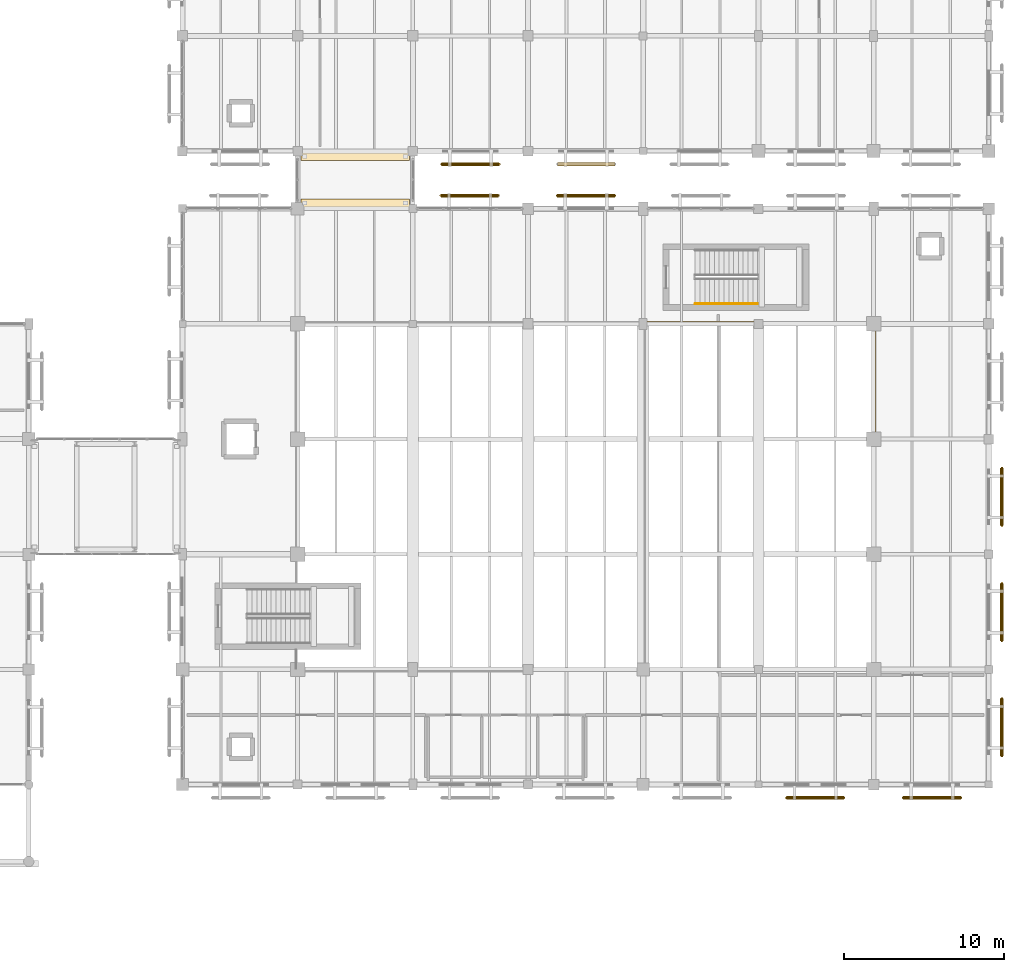
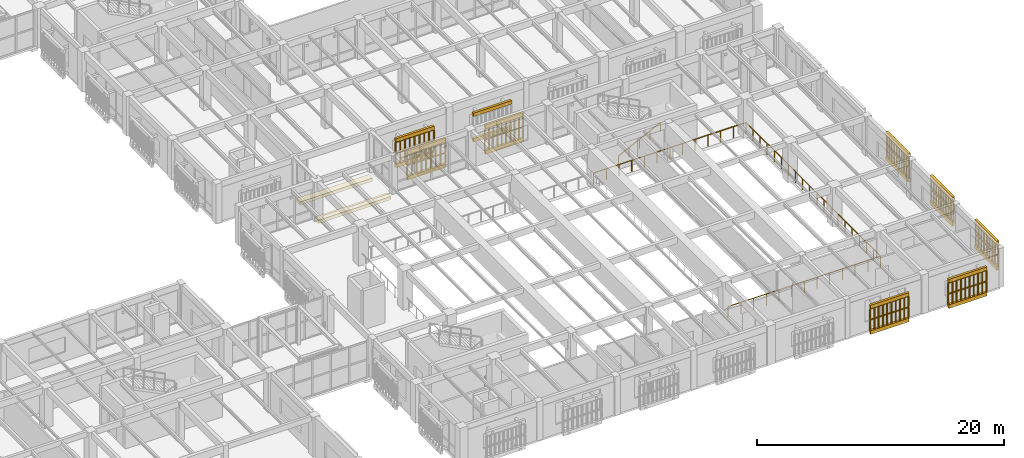
# One storey, part 164 of 170: 20 coverings, 18 railings.
"""IFC4 building model written with IfcOpenShell, lengths in metres."""

from ifc_helpers import new_model, si_unit, direction, frame, origin, origin_2d, place, context, subcontext, project, spatial, polyline, circle, outline, extrude, material, layer, layer_set, type_object, element, save


model = new_model("IFC4")

# Units and contexts
model_context = context("Model", 3, precision=1e-05, world=origin(), true_north=direction((0.0, 1.0)))
body_context = subcontext(model_context, "Body", "Model", "MODEL_VIEW")
ifc_project = project(units=[si_unit("LENGTHUNIT", "METRE"), si_unit("AREAUNIT", "SQUARE_METRE"), si_unit("VOLUMEUNIT", "CUBIC_METRE"), si_unit("PLANEANGLEUNIT", "RADIAN"), si_unit("MASSUNIT", "GRAM", prefix="KILO")], contexts=[model_context])

# Site, building, storey
site_placement = place(None, origin())
site = spatial("IfcSite", under=ifc_project, at=site_placement, CompositionType="ELEMENT")
building_placement = place(site_placement, origin())
building = spatial("IfcBuilding", under=site, at=building_placement, Name="Mazaris Harbour Polytechnic", CompositionType="ELEMENT")
storey_placement = place(building_placement, frame((0.0, 0.0, 5.39990234375)))
storey = spatial("IfcBuildingStorey", under=building, at=storey_placement, Name="L01", CompositionType="ELEMENT", Elevation=5.39990234375)

# Coverings
ifc_material_1 = material(Name="Concrete C40/50", Category="concrete")
ifc_layer_1 = layer(ifc_material_1, 0.320068359375, Name="Concrete C40/50")
ifc_layer_set_1 = layer_set([ifc_layer_1], Name="Concrete C40/50")
covering_type_1 = type_object("IfcCoveringType", Name="Bridge Bearing Corbel 600 Exterior", PredefinedType="CLADDING", material=ifc_layer_set_1)
covering_1_placement = place(storey_placement, frame((0.0, 0.0, -0.64990234375)))
element("IfcCovering", 1, at=covering_1_placement, inside=storey, type_object=covering_type_1, Name="PB-NE L01 600mm Bridge Bearing Seat Corbel S", PredefinedType="CLADDING", context=body_context, shape_type="SweptSolid", body=[
    extrude(outline(polyline([(129.800048828125, 43.199951171875), (136.60009765625, 43.199951171875), (136.60009765625, 43.800048828125), (129.800048828125, 43.800048828125), (129.800048828125, 43.199951171875)])), origin(), (0.0, 0.0, 1.0), 0.320068359375),
])
covering_2_placement = place(storey_placement, frame((0.0, 0.0, -0.64990234375)))
element("IfcCovering", 2, at=covering_2_placement, inside=storey, type_object=covering_type_1, Name="PB-NE L01 600mm Bridge Bearing Seat Corbel N", PredefinedType="CLADDING", context=body_context, shape_type="SweptSolid", body=[
    extrude(outline(polyline([(129.800048828125, 46.199951171875), (136.60009765625, 46.199951171875), (136.60009765625, 46.800048828125), (129.800048828125, 46.800048828125), (129.800048828125, 46.199951171875)])), origin(), (0.0, 0.0, 1.0), 0.320068359375),
])

# Railings
ifc_material_2 = material(Name="Steel S355", Category="steel")
railing_type_1 = type_object("IfcRailingType", Name="Mezzanine Steel Guardrail 1100", PredefinedType="GUARDRAIL", material=ifc_material_2)
railing_1_placement = place(storey_placement, frame((151.449951171875, 14.300048828125, 0.0)))
element("IfcRailing", 3, at=railing_1_placement, inside=storey, type_object=railing_type_1, Name="Railing GRD-V2-THB", PredefinedType="GUARDRAIL", context=body_context, shape_type="SweptSolid", body=[
    extrude(circle(Radius=0.02392578125, at=origin_2d()), frame((0.0, 0.0, 1.09619140625), z_axis=(1.0, 0.0, 0.0), x_axis=(0.0, 1.0, 0.0)), (0.0, 0.0, 1.0), 14.25),
    extrude(circle(Radius=0.02392578125, at=origin_2d()), frame((14.25, 0.0, 1.09619140625), z_axis=(0.0, 1.0, 0.0), x_axis=(-1.0, 0.0, 0.0)), (0.0, 0.0, 1.0), 21.800048828125),
    extrude(circle(Radius=0.02392578125, at=origin_2d()), frame((14.25, 21.800048828125, 1.09619140625), z_axis=(-1.0, 0.0, 0.0), x_axis=(0.0, -1.0, 0.0)), (0.0, 0.0, 1.0), 14.25),
    extrude(circle(Radius=0.02099609375, at=origin_2d()), origin(), (0.0, 0.0, 1.0), 1.072021484375),
    extrude(circle(Radius=0.02099609375, at=origin_2d()), frame((1.1875, 0.0, 0.0)), (0.0, 0.0, 1.0), 1.072021484375),
    extrude(circle(Radius=0.02099609375, at=origin_2d()), frame((2.375, 0.0, 0.0)), (0.0, 0.0, 1.0), 1.072021484375),
    extrude(circle(Radius=0.02099609375, at=origin_2d()), frame((3.5625, 0.0, 0.0)), (0.0, 0.0, 1.0), 1.072021484375),
    extrude(circle(Radius=0.02099609375, at=origin_2d()), frame((4.75, 0.0, 0.0)), (0.0, 0.0, 1.0), 1.072021484375),
    extrude(circle(Radius=0.02099609375, at=origin_2d()), frame((5.9375, 0.0, 0.0)), (0.0, 0.0, 1.0), 1.072021484375),
    extrude(circle(Radius=0.02099609375, at=origin_2d()), frame((7.125, 0.0, 0.0)), (0.0, 0.0, 1.0), 1.072021484375),
    extrude(circle(Radius=0.02099609375, at=origin_2d()), frame((8.3125, 0.0, 0.0)), (0.0, 0.0, 1.0), 1.072021484375),
    extrude(circle(Radius=0.02099609375, at=origin_2d()), frame((9.5, 0.0, 0.0)), (0.0, 0.0, 1.0), 1.072021484375),
    extrude(circle(Radius=0.02099609375, at=origin_2d()), frame((10.6875, 0.0, 0.0)), (0.0, 0.0, 1.0), 1.072021484375),
    extrude(circle(Radius=0.02099609375, at=origin_2d()), frame((11.875, 0.0, 0.0)), (0.0, 0.0, 1.0), 1.072021484375),
    extrude(circle(Radius=0.02099609375, at=origin_2d()), frame((13.0625, 0.0, 0.0)), (0.0, 0.0, 1.0), 1.072021484375),
    extrude(circle(Radius=0.02099609375, at=origin_2d()), frame((14.25, 0.0, 0.0)), (0.0, 0.0, 1.0), 1.072021484375),
    extrude(circle(Radius=0.02099609375, at=origin_2d()), frame((14.25, 1.1474609375, 0.0)), (0.0, 0.0, 1.0), 1.072021484375),
    extrude(circle(Radius=0.02099609375, at=origin_2d()), frame((14.25, 2.294677734375, 0.0)), (0.0, 0.0, 1.0), 1.072021484375),
    extrude(circle(Radius=0.02099609375, at=origin_2d()), frame((14.25, 3.442138671875, 0.0)), (0.0, 0.0, 1.0), 1.072021484375),
    extrude(circle(Radius=0.02099609375, at=origin_2d()), frame((14.25, 4.589599609375, 0.0)), (0.0, 0.0, 1.0), 1.072021484375),
    extrude(circle(Radius=0.02099609375, at=origin_2d()), frame((14.25, 5.73681640625, 0.0)), (0.0, 0.0, 1.0), 1.072021484375),
    extrude(circle(Radius=0.02099609375, at=origin_2d()), frame((14.25, 6.88427734375, 0.0)), (0.0, 0.0, 1.0), 1.072021484375),
    extrude(circle(Radius=0.02099609375, at=origin_2d()), frame((14.25, 8.031494140625, 0.0)), (0.0, 0.0, 1.0), 1.072021484375),
    extrude(circle(Radius=0.02099609375, at=origin_2d()), frame((14.25, 9.178955078125, 0.0)), (0.0, 0.0, 1.0), 1.072021484375),
    extrude(circle(Radius=0.02099609375, at=origin_2d()), frame((14.25, 10.326416015625, 0.0)), (0.0, 0.0, 1.0), 1.072021484375),
    extrude(circle(Radius=0.02099609375, at=origin_2d()), frame((14.25, 11.4736328125, 0.0)), (0.0, 0.0, 1.0), 1.072021484375),
    extrude(circle(Radius=0.02099609375, at=origin_2d()), frame((14.25, 12.62109375, 0.0)), (0.0, 0.0, 1.0), 1.072021484375),
    extrude(circle(Radius=0.02099609375, at=origin_2d()), frame((14.25, 13.7685546875, 0.0)), (0.0, 0.0, 1.0), 1.072021484375),
    extrude(circle(Radius=0.02099609375, at=origin_2d()), frame((14.25, 14.915771484375, 0.0)), (0.0, 0.0, 1.0), 1.072021484375),
    extrude(circle(Radius=0.02099609375, at=origin_2d()), frame((14.25, 16.063232421875, 0.0)), (0.0, 0.0, 1.0), 1.072021484375),
    extrude(circle(Radius=0.02099609375, at=origin_2d()), frame((14.25, 17.21044921875, 0.0)), (0.0, 0.0, 1.0), 1.072021484375),
    extrude(circle(Radius=0.02099609375, at=origin_2d()), frame((14.25, 18.35791015625, 0.0)), (0.0, 0.0, 1.0), 1.072021484375),
    extrude(circle(Radius=0.02099609375, at=origin_2d()), frame((14.25, 19.50537109375, 0.0)), (0.0, 0.0, 1.0), 1.072021484375),
    extrude(circle(Radius=0.02099609375, at=origin_2d()), frame((14.25, 20.652587890625, 0.0)), (0.0, 0.0, 1.0), 1.072021484375),
    extrude(circle(Radius=0.02099609375, at=origin_2d()), frame((14.25, 21.800048828125, 0.0)), (0.0, 0.0, 1.0), 1.072021484375),
    extrude(circle(Radius=0.02099609375, at=origin_2d()), frame((13.0625, 21.800048828125, 0.0)), (0.0, 0.0, 1.0), 1.072021484375),
    extrude(circle(Radius=0.02099609375, at=origin_2d()), frame((11.875, 21.800048828125, 0.0)), (0.0, 0.0, 1.0), 1.072021484375),
    extrude(circle(Radius=0.02099609375, at=origin_2d()), frame((10.6875, 21.800048828125, 0.0)), (0.0, 0.0, 1.0), 1.072021484375),
    extrude(circle(Radius=0.02099609375, at=origin_2d()), frame((9.5, 21.800048828125, 0.0)), (0.0, 0.0, 1.0), 1.072021484375),
    extrude(circle(Radius=0.02099609375, at=origin_2d()), frame((8.3125, 21.800048828125, 0.0)), (0.0, 0.0, 1.0), 1.072021484375),
    extrude(circle(Radius=0.02099609375, at=origin_2d()), frame((7.125, 21.800048828125, 0.0)), (0.0, 0.0, 1.0), 1.072021484375),
    extrude(circle(Radius=0.02099609375, at=origin_2d()), frame((5.9375, 21.800048828125, 0.0)), (0.0, 0.0, 1.0), 1.072021484375),
    extrude(circle(Radius=0.02099609375, at=origin_2d()), frame((4.75, 21.800048828125, 0.0)), (0.0, 0.0, 1.0), 1.072021484375),
    extrude(circle(Radius=0.02099609375, at=origin_2d()), frame((3.5625, 21.800048828125, 0.0)), (0.0, 0.0, 1.0), 1.072021484375),
    extrude(circle(Radius=0.02099609375, at=origin_2d()), frame((2.375, 21.800048828125, 0.0)), (0.0, 0.0, 1.0), 1.072021484375),
    extrude(circle(Radius=0.02099609375, at=origin_2d()), frame((1.1875, 21.800048828125, 0.0)), (0.0, 0.0, 1.0), 1.072021484375),
    extrude(circle(Radius=0.02099609375, at=origin_2d()), frame((0.0, 21.800048828125, 0.0)), (0.0, 0.0, 1.0), 1.072021484375),
])
ifc_material_3 = material(Name="Perforated Earth-Coloured Terracotta Block", Category="masonry")
railing_type_2 = type_object("IfcRailingType", Name="Perforated Earth-Block Claustra Lattice 1040", PredefinedType="BALUSTRADE", material=ifc_material_3)
for number, where, name in (
    (4, (163.75, 6.3798828125, 0.52001953125), "V2 L01 Lower Perforated Terracotta Block Screen 50"),
    (5, (163.75, 6.3798828125, 1.610107421875), "V2 L01 Upper Perforated Terracotta Block Screen 50"),
    (6, (171.050048828125, 6.3798828125, 0.52001953125), "V2 L01 Lower Perforated Terracotta Block Screen 51"),
    (7, (171.050048828125, 6.3798828125, 1.610107421875), "V2 L01 Upper Perforated Terracotta Block Screen 51"),
):
    element("IfcRailing", number, at=place(storey_placement, frame(where)), inside=storey, type_object=railing_type_2, Name=name, PredefinedType="BALUSTRADE", context=body_context, shape_type="SweptSolid", body=[
        extrude(circle(Radius=0.06982421875, at=origin_2d()), frame((0.0, 0.0, 1.02001953125), z_axis=(-1.0, 0.0, 0.0), x_axis=(0.0, -1.0, 0.0)), (0.0, 0.0, 1.0), 3.60009765625),
        extrude(circle(Radius=0.074951171875, at=origin_2d()), origin(), (0.0, 0.0, 1.0), 0.9501953125),
        extrude(circle(Radius=0.074951171875, at=origin_2d()), frame((-0.39990234375, 0.0, 0.0)), (0.0, 0.0, 1.0), 0.9501953125),
        extrude(circle(Radius=0.074951171875, at=origin_2d()), frame((-0.800048828125, 0.0, 0.0)), (0.0, 0.0, 1.0), 0.9501953125),
        extrude(circle(Radius=0.074951171875, at=origin_2d()), frame((-1.199951171875, 0.0, 0.0)), (0.0, 0.0, 1.0), 0.9501953125),
        extrude(circle(Radius=0.074951171875, at=origin_2d()), frame((-1.60009765625, 0.0, 0.0)), (0.0, 0.0, 1.0), 0.9501953125),
        extrude(circle(Radius=0.074951171875, at=origin_2d()), frame((-2.0, 0.0, 0.0)), (0.0, 0.0, 1.0), 0.9501953125),
        extrude(circle(Radius=0.074951171875, at=origin_2d()), frame((-2.400146484375, 0.0, 0.0)), (0.0, 0.0, 1.0), 0.9501953125),
        extrude(circle(Radius=0.074951171875, at=origin_2d()), frame((-2.800048828125, 0.0, 0.0)), (0.0, 0.0, 1.0), 0.9501953125),
        extrude(circle(Radius=0.074951171875, at=origin_2d()), frame((-3.2001953125, 0.0, 0.0)), (0.0, 0.0, 1.0), 0.9501953125),
        extrude(circle(Radius=0.074951171875, at=origin_2d()), frame((-3.60009765625, 0.0, 0.0)), (0.0, 0.0, 1.0), 0.9501953125),
    ])
for number, where, name in (
    (8, (138.550048828125, 44.02001953125, 0.52001953125), "V2 L01 Lower Perforated Terracotta Block Screen 53"),
    (9, (138.550048828125, 44.02001953125, 1.610107421875), "V2 L01 Upper Perforated Terracotta Block Screen 53"),
):
    element("IfcRailing", number, at=place(storey_placement, frame(where)), inside=storey, type_object=railing_type_2, Name=name, PredefinedType="BALUSTRADE", context=body_context, shape_type="SweptSolid", body=[
        extrude(circle(Radius=0.06982421875, at=origin_2d()), frame((0.0, 0.0, 1.02001953125), z_axis=(1.0, 0.0, 0.0), x_axis=(0.0, 1.0, 0.0)), (0.0, 0.0, 1.0), 3.599853515625),
        extrude(circle(Radius=0.074951171875, at=origin_2d()), origin(), (0.0, 0.0, 1.0), 0.9501953125),
        extrude(circle(Radius=0.074951171875, at=origin_2d()), frame((0.449951171875, 0.0, 0.0)), (0.0, 0.0, 1.0), 0.9501953125),
        extrude(circle(Radius=0.074951171875, at=origin_2d()), frame((0.89990234375, 0.0, 0.0)), (0.0, 0.0, 1.0), 0.9501953125),
        extrude(circle(Radius=0.074951171875, at=origin_2d()), frame((1.349853515625, 0.0, 0.0)), (0.0, 0.0, 1.0), 0.9501953125),
        extrude(circle(Radius=0.074951171875, at=origin_2d()), frame((1.7998046875, 0.0, 0.0)), (0.0, 0.0, 1.0), 0.9501953125),
        extrude(circle(Radius=0.074951171875, at=origin_2d()), frame((2.25, 0.0, 0.0)), (0.0, 0.0, 1.0), 0.9501953125),
        extrude(circle(Radius=0.074951171875, at=origin_2d()), frame((2.699951171875, 0.0, 0.0)), (0.0, 0.0, 1.0), 0.9501953125),
        extrude(circle(Radius=0.074951171875, at=origin_2d()), frame((3.14990234375, 0.0, 0.0)), (0.0, 0.0, 1.0), 0.9501953125),
        extrude(circle(Radius=0.074951171875, at=origin_2d()), frame((3.599853515625, 0.0, 0.0)), (0.0, 0.0, 1.0), 0.9501953125),
    ])
for number, where, name in (
    (10, (145.824951171875, 44.02001953125, 0.52001953125), "V2 L01 Lower Perforated Terracotta Block Screen 54"),
    (11, (145.824951171875, 44.02001953125, 1.610107421875), "V2 L01 Upper Perforated Terracotta Block Screen 54"),
):
    element("IfcRailing", number, at=place(storey_placement, frame(where)), inside=storey, type_object=railing_type_2, Name=name, PredefinedType="BALUSTRADE", context=body_context, shape_type="SweptSolid", body=[
        extrude(circle(Radius=0.06982421875, at=origin_2d()), frame((0.0, 0.0, 1.02001953125), z_axis=(1.0, 0.0, 0.0), x_axis=(0.0, 1.0, 0.0)), (0.0, 0.0, 1.0), 3.60009765625),
        extrude(circle(Radius=0.074951171875, at=origin_2d()), origin(), (0.0, 0.0, 1.0), 0.9501953125),
        extrude(circle(Radius=0.074951171875, at=origin_2d()), frame((0.39990234375, 0.0, 0.0)), (0.0, 0.0, 1.0), 0.9501953125),
        extrude(circle(Radius=0.074951171875, at=origin_2d()), frame((0.800048828125, 0.0, 0.0)), (0.0, 0.0, 1.0), 0.9501953125),
        extrude(circle(Radius=0.074951171875, at=origin_2d()), frame((1.199951171875, 0.0, 0.0)), (0.0, 0.0, 1.0), 0.9501953125),
        extrude(circle(Radius=0.074951171875, at=origin_2d()), frame((1.60009765625, 0.0, 0.0)), (0.0, 0.0, 1.0), 0.9501953125),
        extrude(circle(Radius=0.074951171875, at=origin_2d()), frame((2.0, 0.0, 0.0)), (0.0, 0.0, 1.0), 0.9501953125),
        extrude(circle(Radius=0.074951171875, at=origin_2d()), frame((2.400146484375, 0.0, 0.0)), (0.0, 0.0, 1.0), 0.9501953125),
        extrude(circle(Radius=0.074951171875, at=origin_2d()), frame((2.800048828125, 0.0, 0.0)), (0.0, 0.0, 1.0), 0.9501953125),
        extrude(circle(Radius=0.074951171875, at=origin_2d()), frame((3.2001953125, 0.0, 0.0)), (0.0, 0.0, 1.0), 0.9501953125),
        extrude(circle(Radius=0.074951171875, at=origin_2d()), frame((3.60009765625, 0.0, 0.0)), (0.0, 0.0, 1.0), 0.9501953125),
    ])
for number, where, name in (
    (12, (173.6201171875, 12.58740234375, 0.52001953125), "V2 L01 Lower Perforated Terracotta Block Screen 62"),
    (13, (173.6201171875, 12.58740234375, 1.610107421875), "V2 L01 Upper Perforated Terracotta Block Screen 62"),
):
    element("IfcRailing", number, at=place(storey_placement, frame(where)), inside=storey, type_object=railing_type_2, Name=name, PredefinedType="BALUSTRADE", context=body_context, shape_type="SweptSolid", body=[
        extrude(circle(Radius=0.06982421875, at=origin_2d()), frame((0.0, 0.0, 1.02001953125), z_axis=(0.0, -1.0, 0.0), x_axis=(1.0, 0.0, 0.0)), (0.0, 0.0, 1.0), 3.599853515625),
        extrude(circle(Radius=0.074951171875, at=origin_2d()), origin(), (0.0, 0.0, 1.0), 0.9501953125),
        extrude(circle(Radius=0.074951171875, at=origin_2d()), frame((0.0, -0.449951171875, 0.0)), (0.0, 0.0, 1.0), 0.9501953125),
        extrude(circle(Radius=0.074951171875, at=origin_2d()), frame((0.0, -0.89990234375, 0.0)), (0.0, 0.0, 1.0), 0.9501953125),
        extrude(circle(Radius=0.074951171875, at=origin_2d()), frame((0.0, -1.349853515625, 0.0)), (0.0, 0.0, 1.0), 0.9501953125),
        extrude(circle(Radius=0.074951171875, at=origin_2d()), frame((0.0, -1.7998046875, 0.0)), (0.0, 0.0, 1.0), 0.9501953125),
        extrude(circle(Radius=0.074951171875, at=origin_2d()), frame((0.0, -2.25, 0.0)), (0.0, 0.0, 1.0), 0.9501953125),
        extrude(circle(Radius=0.074951171875, at=origin_2d()), frame((0.0, -2.699951171875, 0.0)), (0.0, 0.0, 1.0), 0.9501953125),
        extrude(circle(Radius=0.074951171875, at=origin_2d()), frame((0.0, -3.14990234375, 0.0)), (0.0, 0.0, 1.0), 0.9501953125),
        extrude(circle(Radius=0.074951171875, at=origin_2d()), frame((0.0, -3.599853515625, 0.0)), (0.0, 0.0, 1.0), 0.9501953125),
    ])
for number, where, name in (
    (14, (173.6201171875, 19.78759765625, 0.52001953125), "V2 L01 Lower Perforated Terracotta Block Screen 63"),
    (15, (173.6201171875, 19.78759765625, 1.610107421875), "V2 L01 Upper Perforated Terracotta Block Screen 63"),
):
    element("IfcRailing", number, at=place(storey_placement, frame(where)), inside=storey, type_object=railing_type_2, Name=name, PredefinedType="BALUSTRADE", context=body_context, shape_type="SweptSolid", body=[
        extrude(circle(Radius=0.06982421875, at=origin_2d()), frame((0.0, 0.0, 1.02001953125), z_axis=(0.0, -1.0, 0.0), x_axis=(1.0, 0.0, 0.0)), (0.0, 0.0, 1.0), 3.60009765625),
        extrude(circle(Radius=0.074951171875, at=origin_2d()), origin(), (0.0, 0.0, 1.0), 0.9501953125),
        extrude(circle(Radius=0.074951171875, at=origin_2d()), frame((0.0, -0.39990234375, 0.0)), (0.0, 0.0, 1.0), 0.9501953125),
        extrude(circle(Radius=0.074951171875, at=origin_2d()), frame((0.0, -0.800048828125, 0.0)), (0.0, 0.0, 1.0), 0.9501953125),
        extrude(circle(Radius=0.074951171875, at=origin_2d()), frame((0.0, -1.199951171875, 0.0)), (0.0, 0.0, 1.0), 0.9501953125),
        extrude(circle(Radius=0.074951171875, at=origin_2d()), frame((0.0, -1.60009765625, 0.0)), (0.0, 0.0, 1.0), 0.9501953125),
        extrude(circle(Radius=0.074951171875, at=origin_2d()), frame((0.0, -2.0, 0.0)), (0.0, 0.0, 1.0), 0.9501953125),
        extrude(circle(Radius=0.074951171875, at=origin_2d()), frame((0.0, -2.400146484375, 0.0)), (0.0, 0.0, 1.0), 0.9501953125),
        extrude(circle(Radius=0.074951171875, at=origin_2d()), frame((0.0, -2.800048828125, 0.0)), (0.0, 0.0, 1.0), 0.9501953125),
        extrude(circle(Radius=0.074951171875, at=origin_2d()), frame((0.0, -3.2001953125, 0.0)), (0.0, 0.0, 1.0), 0.9501953125),
        extrude(circle(Radius=0.074951171875, at=origin_2d()), frame((0.0, -3.60009765625, 0.0)), (0.0, 0.0, 1.0), 0.9501953125),
    ])
for number, where, name in (
    (16, (173.6201171875, 26.987548828125, 0.52001953125), "V2 L01 Lower Perforated Terracotta Block Screen 64"),
    (17, (173.6201171875, 26.987548828125, 1.585205078125), "V2 L01 Upper Perforated Terracotta Block Screen 64"),
):
    element("IfcRailing", number, at=place(storey_placement, frame(where)), inside=storey, type_object=railing_type_2, Name=name, PredefinedType="BALUSTRADE", context=body_context, shape_type="SweptSolid", body=[
        extrude(circle(Radius=0.06982421875, at=origin_2d()), frame((0.0, 0.0, 0.9951171875), z_axis=(0.0, -1.0, 0.0), x_axis=(1.0, 0.0, 0.0)), (0.0, 0.0, 1.0), 3.60009765625),
        extrude(circle(Radius=0.074951171875, at=origin_2d()), origin(), (0.0, 0.0, 1.0), 0.925048828125),
        extrude(circle(Radius=0.074951171875, at=origin_2d()), frame((0.0, -0.39990234375, 0.0)), (0.0, 0.0, 1.0), 0.925048828125),
        extrude(circle(Radius=0.074951171875, at=origin_2d()), frame((0.0, -0.800048828125, 0.0)), (0.0, 0.0, 1.0), 0.925048828125),
        extrude(circle(Radius=0.074951171875, at=origin_2d()), frame((0.0, -1.199951171875, 0.0)), (0.0, 0.0, 1.0), 0.925048828125),
        extrude(circle(Radius=0.074951171875, at=origin_2d()), frame((0.0, -1.60009765625, 0.0)), (0.0, 0.0, 1.0), 0.925048828125),
        extrude(circle(Radius=0.074951171875, at=origin_2d()), frame((0.0, -2.0, 0.0)), (0.0, 0.0, 1.0), 0.925048828125),
        extrude(circle(Radius=0.074951171875, at=origin_2d()), frame((0.0, -2.400146484375, 0.0)), (0.0, 0.0, 1.0), 0.925048828125),
        extrude(circle(Radius=0.074951171875, at=origin_2d()), frame((0.0, -2.800048828125, 0.0)), (0.0, 0.0, 1.0), 0.925048828125),
        extrude(circle(Radius=0.074951171875, at=origin_2d()), frame((0.0, -3.2001953125, 0.0)), (0.0, 0.0, 1.0), 0.925048828125),
        extrude(circle(Radius=0.074951171875, at=origin_2d()), frame((0.0, -3.60009765625, 0.0)), (0.0, 0.0, 1.0), 0.925048828125),
    ])
for number, where, name in (
    (18, (142.199951171875, 45.97998046875, 0.52001953125), "V5 L01 Lower Perforated Terracotta Block Screen 367"),
    (19, (142.199951171875, 45.97998046875, 1.610107421875), "V5 L01 Upper Perforated Terracotta Block Screen 367"),
):
    element("IfcRailing", number, at=place(storey_placement, frame(where)), inside=storey, type_object=railing_type_2, Name=name, PredefinedType="BALUSTRADE", context=body_context, shape_type="SweptSolid", body=[
        extrude(circle(Radius=0.06982421875, at=origin_2d()), frame((0.0, 0.0, 1.02001953125), z_axis=(-1.0, 0.0, 0.0), x_axis=(0.0, -1.0, 0.0)), (0.0, 0.0, 1.0), 3.599853515625),
        extrude(circle(Radius=0.074951171875, at=origin_2d()), origin(), (0.0, 0.0, 1.0), 0.9501953125),
        extrude(circle(Radius=0.074951171875, at=origin_2d()), frame((-0.449951171875, 0.0, 0.0)), (0.0, 0.0, 1.0), 0.9501953125),
        extrude(circle(Radius=0.074951171875, at=origin_2d()), frame((-0.89990234375, 0.0, 0.0)), (0.0, 0.0, 1.0), 0.9501953125),
        extrude(circle(Radius=0.074951171875, at=origin_2d()), frame((-1.349853515625, 0.0, 0.0)), (0.0, 0.0, 1.0), 0.9501953125),
        extrude(circle(Radius=0.074951171875, at=origin_2d()), frame((-1.7998046875, 0.0, 0.0)), (0.0, 0.0, 1.0), 0.9501953125),
        extrude(circle(Radius=0.074951171875, at=origin_2d()), frame((-2.25, 0.0, 0.0)), (0.0, 0.0, 1.0), 0.9501953125),
        extrude(circle(Radius=0.074951171875, at=origin_2d()), frame((-2.699951171875, 0.0, 0.0)), (0.0, 0.0, 1.0), 0.9501953125),
        extrude(circle(Radius=0.074951171875, at=origin_2d()), frame((-3.14990234375, 0.0, 0.0)), (0.0, 0.0, 1.0), 0.9501953125),
        extrude(circle(Radius=0.074951171875, at=origin_2d()), frame((-3.599853515625, 0.0, 0.0)), (0.0, 0.0, 1.0), 0.9501953125),
    ])
ifc_material_4 = material(Name="Stainless Steel S355", Category="steel")
railing_type_3 = type_object("IfcRailingType", Name="Stair Wall Handrail 900", PredefinedType="HANDRAIL", material=ifc_material_4)
railing_2_placement = place(storey_placement, frame((154.449951171875, 37.25, 0.150146484375)))
element("IfcRailing", 20, at=railing_2_placement, inside=storey, type_object=railing_type_3, Name="L01 ST04 stair handrail 1", PredefinedType="HANDRAIL", context=body_context, shape_type="SweptSolid", body=[
    extrude(circle(Radius=0.02392578125, at=origin_2d()), frame((0.0, 0.0, 0.8759765625), z_axis=(0.894438388696, 0.0, 0.447191199406), x_axis=(0.0, 1.0, 0.0)), (0.0, 0.0, 1.0), 4.3603515625),
    extrude(circle(Radius=0.02099609375, at=origin_2d()), origin(), (0.0, 0.0, 1.0), 0.851806640625),
    extrude(circle(Radius=0.02099609375, at=origin_2d()), frame((0.97509765625, 0.0, 0.487548828125)), (0.0, 0.0, 1.0), 0.851806640625),
    extrude(circle(Radius=0.02099609375, at=origin_2d()), frame((1.9501953125, 0.0, 0.97509765625)), (0.0, 0.0, 1.0), 0.851806640625),
    extrude(circle(Radius=0.02099609375, at=origin_2d()), frame((2.925048828125, 0.0, 1.46240234375)), (0.0, 0.0, 1.0), 0.851806640625),
    extrude(circle(Radius=0.02099609375, at=origin_2d()), frame((3.900146484375, 0.0, 1.949951171875)), (0.0, 0.0, 1.0), 0.851806640625),
])

# Coverings
ifc_material_5 = material(Name="Perforated Earth-Coloured Terracotta Block", Category="masonry")
ifc_layer_2 = layer(ifc_material_5, 0.219970703125, Name="Perforated Earth-Coloured Terracotta Block")
ifc_layer_set_2 = layer_set([ifc_layer_2], Name="Perforated Earth-Coloured Terracotta Block")
covering_type_2 = type_object("IfcCoveringType", Name="Terracotta Screen Course Cladding 220", PredefinedType="CLADDING", material=ifc_layer_set_2)
covering_3_placement = place(storey_placement, frame((0.0, 0.0, 0.16015625)))
element("IfcCovering", 21, at=covering_3_placement, inside=storey, type_object=covering_type_2, Name="V2 L01 Perforated Screen Sill Course 50", PredefinedType="CLADDING", context=body_context, shape_type="SweptSolid", body=[
    extrude(outline(polyline([(163.75, 6.489990234375), (160.14990234375, 6.489990234375), (160.14990234375, 6.27001953125), (163.75, 6.27001953125), (163.75, 6.489990234375)])), origin(), (0.0, 0.0, 1.0), 0.35986328125),
])
covering_4_placement = place(storey_placement, frame((0.0, 0.0, 2.7001953125)))
element("IfcCovering", 22, at=covering_4_placement, inside=storey, type_object=covering_type_2, Name="V2 L01 Perforated Screen Lintel Course 50", PredefinedType="CLADDING", context=body_context, shape_type="SweptSolid", body=[
    extrude(outline(polyline([(163.75, 6.489990234375), (160.14990234375, 6.489990234375), (160.14990234375, 6.27001953125), (163.75, 6.27001953125), (163.75, 6.489990234375)])), origin(), (0.0, 0.0, 1.0), 0.33984375),
])
covering_5_placement = place(storey_placement, frame((0.0, 0.0, 0.16015625)))
element("IfcCovering", 23, at=covering_5_placement, inside=storey, type_object=covering_type_2, Name="V2 L01 Perforated Screen Sill Course 51", PredefinedType="CLADDING", context=body_context, shape_type="SweptSolid", body=[
    extrude(outline(polyline([(171.050048828125, 6.489990234375), (167.449951171875, 6.489990234375), (167.449951171875, 6.27001953125), (171.050048828125, 6.27001953125), (171.050048828125, 6.489990234375)])), origin(), (0.0, 0.0, 1.0), 0.35986328125),
])
covering_6_placement = place(storey_placement, frame((0.0, 0.0, 2.7001953125)))
element("IfcCovering", 24, at=covering_6_placement, inside=storey, type_object=covering_type_2, Name="V2 L01 Perforated Screen Lintel Course 51", PredefinedType="CLADDING", context=body_context, shape_type="SweptSolid", body=[
    extrude(outline(polyline([(171.050048828125, 6.489990234375), (167.449951171875, 6.489990234375), (167.449951171875, 6.27001953125), (171.050048828125, 6.27001953125), (171.050048828125, 6.489990234375)])), origin(), (0.0, 0.0, 1.0), 0.33984375),
])
covering_7_placement = place(storey_placement, frame((0.0, 0.0, 0.16015625)))
element("IfcCovering", 25, at=covering_7_placement, inside=storey, type_object=covering_type_2, Name="V2 L01 Perforated Screen Sill Course 53", PredefinedType="CLADDING", context=body_context, shape_type="SweptSolid", body=[
    extrude(outline(polyline([(138.550048828125, 43.909912109375), (142.14990234375, 43.909912109375), (142.14990234375, 44.1298828125), (138.550048828125, 44.1298828125), (138.550048828125, 43.909912109375)])), origin(), (0.0, 0.0, 1.0), 0.35986328125),
])
covering_8_placement = place(storey_placement, frame((0.0, 0.0, 2.7001953125)))
element("IfcCovering", 26, at=covering_8_placement, inside=storey, type_object=covering_type_2, Name="V2 L01 Perforated Screen Lintel Course 53", PredefinedType="CLADDING", context=body_context, shape_type="SweptSolid", body=[
    extrude(outline(polyline([(138.550048828125, 43.909912109375), (142.14990234375, 43.909912109375), (142.14990234375, 44.1298828125), (138.550048828125, 44.1298828125), (138.550048828125, 43.909912109375)])), origin(), (0.0, 0.0, 1.0), 0.33984375),
])
covering_9_placement = place(storey_placement, frame((0.0, 0.0, 0.16015625)))
element("IfcCovering", 27, at=covering_9_placement, inside=storey, type_object=covering_type_2, Name="V2 L01 Perforated Screen Sill Course 54", PredefinedType="CLADDING", context=body_context, shape_type="SweptSolid", body=[
    extrude(outline(polyline([(145.824951171875, 43.909912109375), (149.425048828125, 43.909912109375), (149.425048828125, 44.1298828125), (145.824951171875, 44.1298828125), (145.824951171875, 43.909912109375)])), origin(), (0.0, 0.0, 1.0), 0.35986328125),
])
covering_10_placement = place(storey_placement, frame((0.0, 0.0, 2.7001953125)))
element("IfcCovering", 28, at=covering_10_placement, inside=storey, type_object=covering_type_2, Name="V2 L01 Perforated Screen Lintel Course 54", PredefinedType="CLADDING", context=body_context, shape_type="SweptSolid", body=[
    extrude(outline(polyline([(145.824951171875, 43.909912109375), (149.425048828125, 43.909912109375), (149.425048828125, 44.1298828125), (145.824951171875, 44.1298828125), (145.824951171875, 43.909912109375)])), origin(), (0.0, 0.0, 1.0), 0.33984375),
])
covering_11_placement = place(storey_placement, frame((0.0, 0.0, 0.16015625)))
element("IfcCovering", 29, at=covering_11_placement, inside=storey, type_object=covering_type_2, Name="V2 L01 Perforated Screen Sill Course 62", PredefinedType="CLADDING", context=body_context, shape_type="SweptSolid", body=[
    extrude(outline(polyline([(173.510009765625, 12.58740234375), (173.510009765625, 8.987548828125), (173.72998046875, 8.987548828125), (173.72998046875, 12.58740234375), (173.510009765625, 12.58740234375)])), origin(), (0.0, 0.0, 1.0), 0.35986328125),
])
covering_12_placement = place(storey_placement, frame((0.0, 0.0, 2.7001953125)))
element("IfcCovering", 30, at=covering_12_placement, inside=storey, type_object=covering_type_2, Name="V2 L01 Perforated Screen Lintel Course 62", PredefinedType="CLADDING", context=body_context, shape_type="SweptSolid", body=[
    extrude(outline(polyline([(173.510009765625, 12.58740234375), (173.510009765625, 8.987548828125), (173.72998046875, 8.987548828125), (173.72998046875, 12.58740234375), (173.510009765625, 12.58740234375)])), origin(), (0.0, 0.0, 1.0), 0.33984375),
])
covering_13_placement = place(storey_placement, frame((0.0, 0.0, 0.16015625)))
element("IfcCovering", 31, at=covering_13_placement, inside=storey, type_object=covering_type_2, Name="V2 L01 Perforated Screen Sill Course 63", PredefinedType="CLADDING", context=body_context, shape_type="SweptSolid", body=[
    extrude(outline(polyline([(173.510009765625, 19.78759765625), (173.510009765625, 16.1875), (173.72998046875, 16.1875), (173.72998046875, 19.78759765625), (173.510009765625, 19.78759765625)])), origin(), (0.0, 0.0, 1.0), 0.35986328125),
])
covering_14_placement = place(storey_placement, frame((0.0, 0.0, 2.7001953125)))
element("IfcCovering", 32, at=covering_14_placement, inside=storey, type_object=covering_type_2, Name="V2 L01 Perforated Screen Lintel Course 63", PredefinedType="CLADDING", context=body_context, shape_type="SweptSolid", body=[
    extrude(outline(polyline([(173.510009765625, 19.78759765625), (173.510009765625, 16.1875), (173.72998046875, 16.1875), (173.72998046875, 19.78759765625), (173.510009765625, 19.78759765625)])), origin(), (0.0, 0.0, 1.0), 0.33984375),
])
covering_15_placement = place(storey_placement, frame((0.0, 0.0, 0.16015625)))
element("IfcCovering", 33, at=covering_15_placement, inside=storey, type_object=covering_type_2, Name="V2 L01 Perforated Screen Sill Course 64", PredefinedType="CLADDING", context=body_context, shape_type="SweptSolid", body=[
    extrude(outline(polyline([(173.510009765625, 26.987548828125), (173.510009765625, 23.387451171875), (173.72998046875, 23.387451171875), (173.72998046875, 26.987548828125), (173.510009765625, 26.987548828125)])), origin(), (0.0, 0.0, 1.0), 0.35986328125),
])
covering_16_placement = place(storey_placement, frame((0.0, 0.0, 2.650146484375)))
element("IfcCovering", 34, at=covering_16_placement, inside=storey, type_object=covering_type_2, Name="V2 L01 Perforated Screen Lintel Course 64", PredefinedType="CLADDING", context=body_context, shape_type="SweptSolid", body=[
    extrude(outline(polyline([(173.510009765625, 26.987548828125), (173.510009765625, 23.387451171875), (173.72998046875, 23.387451171875), (173.72998046875, 26.987548828125), (173.510009765625, 26.987548828125)])), origin(), (0.0, 0.0, 1.0), 0.33984375),
])
covering_17_placement = place(storey_placement, frame((0.0, 0.0, 0.16015625)))
element("IfcCovering", 35, at=covering_17_placement, inside=storey, type_object=covering_type_2, Name="V5 L01 Perforated Screen Sill Course 367", PredefinedType="CLADDING", context=body_context, shape_type="SweptSolid", body=[
    extrude(outline(polyline([(142.199951171875, 46.090087890625), (138.60009765625, 46.090087890625), (138.60009765625, 45.8701171875), (142.199951171875, 45.8701171875), (142.199951171875, 46.090087890625)])), origin(), (0.0, 0.0, 1.0), 0.35986328125),
])
covering_18_placement = place(storey_placement, frame((0.0, 0.0, 2.7001953125)))
element("IfcCovering", 36, at=covering_18_placement, inside=storey, type_object=covering_type_2, Name="V5 L01 Perforated Screen Lintel Course 367", PredefinedType="CLADDING", context=body_context, shape_type="SweptSolid", body=[
    extrude(outline(polyline([(142.199951171875, 46.090087890625), (138.60009765625, 46.090087890625), (138.60009765625, 45.8701171875), (142.199951171875, 45.8701171875), (142.199951171875, 46.090087890625)])), origin(), (0.0, 0.0, 1.0), 0.33984375),
])
covering_19_placement = place(storey_placement, frame((0.0, 0.0, 0.16015625)))
element("IfcCovering", 37, at=covering_19_placement, inside=storey, type_object=covering_type_2, Name="V5 L01 Perforated Screen Sill Course 368", PredefinedType="CLADDING", context=body_context, shape_type="SweptSolid", body=[
    extrude(outline(polyline([(149.4375, 46.090087890625), (145.83740234375, 46.090087890625), (145.83740234375, 45.8701171875), (149.4375, 45.8701171875), (149.4375, 46.090087890625)])), origin(), (0.0, 0.0, 1.0), 0.35986328125),
])
covering_20_placement = place(storey_placement, frame((0.0, 0.0, 2.7001953125)))
element("IfcCovering", 38, at=covering_20_placement, inside=storey, type_object=covering_type_2, Name="V5 L01 Perforated Screen Lintel Course 368", PredefinedType="CLADDING", context=body_context, shape_type="SweptSolid", body=[
    extrude(outline(polyline([(149.4375, 46.090087890625), (145.83740234375, 46.090087890625), (145.83740234375, 45.8701171875), (149.4375, 45.8701171875), (149.4375, 46.090087890625)])), origin(), (0.0, 0.0, 1.0), 0.33984375),
])

save(model, "model.ifc")
